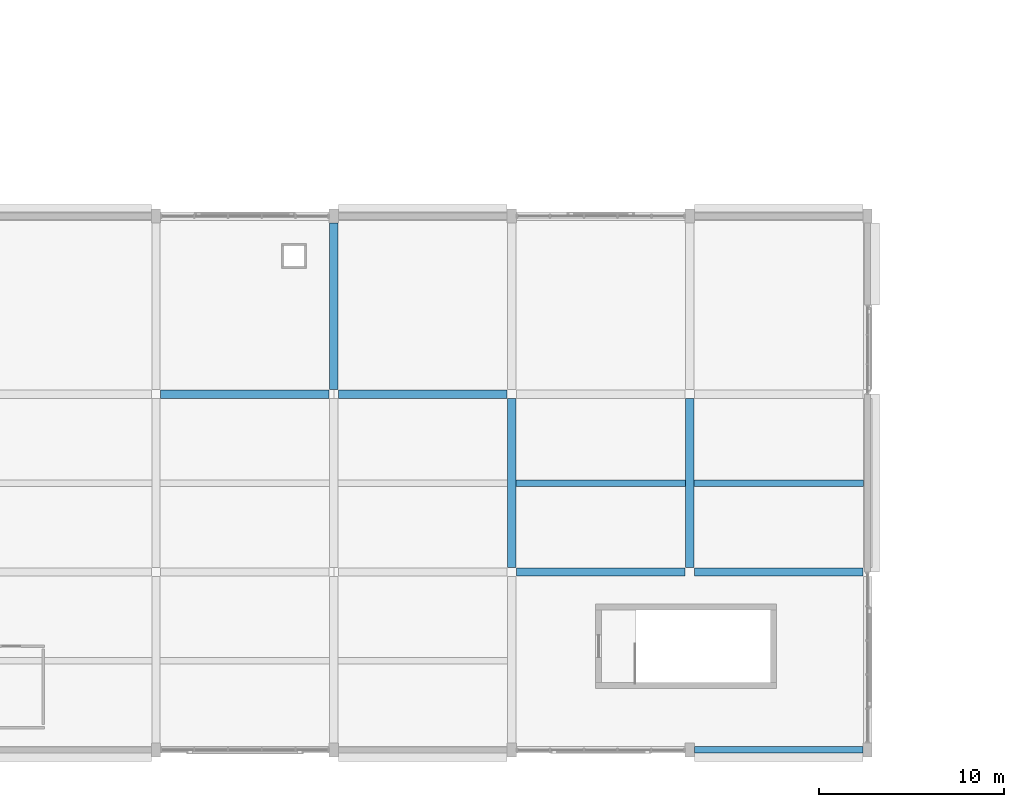
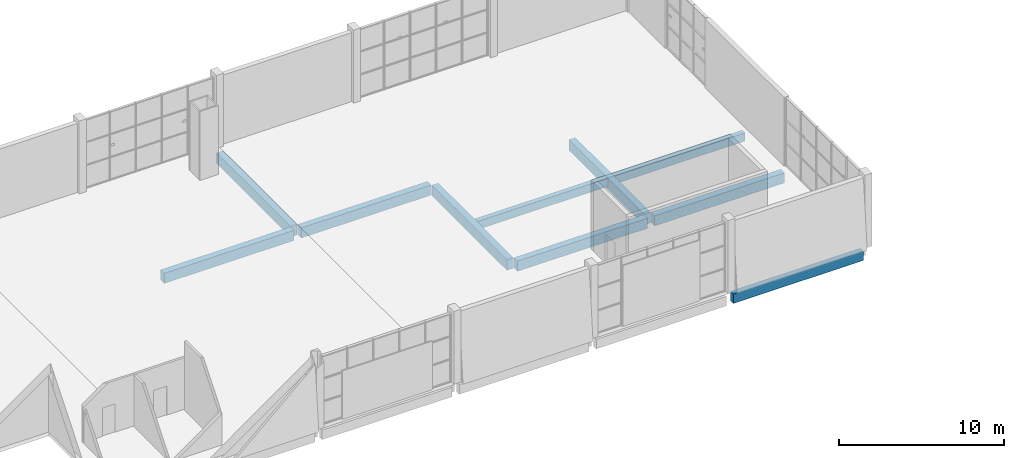
# One storey, part 7 of 72: 10 beams.
"""IFC4 building model written with IfcOpenShell, lengths in metres."""

from ifc_helpers import new_model, si_unit, direction, frame, origin, origin_2d, place, context, subcontext, project, spatial, rectangle, extrude, material, material_profile, profile_set, type_object, element, save


model = new_model("IFC4")

# Units and contexts
model_context = context("Model", 3, precision=1e-05, world=origin(), true_north=direction((0.0, 1.0)))
body_context = subcontext(model_context, "Body", "Model", "MODEL_VIEW")
ifc_project = project(units=[si_unit("LENGTHUNIT", "METRE"), si_unit("AREAUNIT", "SQUARE_METRE"), si_unit("VOLUMEUNIT", "CUBIC_METRE"), si_unit("PLANEANGLEUNIT", "RADIAN"), si_unit("MASSUNIT", "GRAM", prefix="KILO")], contexts=[model_context])

# Site, building, storey
site_placement = place(None, origin())
site = spatial("IfcSite", under=ifc_project, at=site_placement, CompositionType="ELEMENT")
building_placement = place(site_placement, origin())
building = spatial("IfcBuilding", under=site, at=building_placement, Name="Shalvenor Court Art Gallery", CompositionType="ELEMENT")
storey_placement = place(building_placement, frame((0.0, 0.0, 11.39990234375)))
storey = spatial("IfcBuildingStorey", under=building, at=storey_placement, Name="L02", CompositionType="ELEMENT", Elevation=11.39990234375)

# Beams
ifc_material_1 = material(Name="Concrete C40/50", Category="concrete")
ifc_material_profile_1 = material_profile(ifc_material_1, rectangle(XDim=0.449951171875, YDim=0.800048828125, at=origin_2d()), Name="RC 450x800")
ifc_profile_set_1 = profile_set([ifc_material_profile_1], Name="Concrete C40/50")
beam_type_1 = type_object("IfcBeamType", Name="B-03", PredefinedType="BEAM", material=ifc_profile_set_1)
beam_1_placement = place(storey_placement, frame((38.39990234375, 19.449951171875, -0.719970703125), z_axis=(0.0, 1.0, 0.0), x_axis=(-1.0, 0.0, 0.0)))
element("IfcBeam", 1, at=beam_1_placement, inside=storey, type_object=beam_type_1, Name="L02 Girder BM-L02-B-03-0717", PredefinedType="BEAM", context=body_context, shape_type="SweptSolid", body=[
    extrude(rectangle(XDim=0.449951171875, YDim=0.800048828125, at=origin_2d()), origin(), (0.0, 0.0, 1.0), 8.97509765625),
])
for number, where, z_axis, x_axis, name in (
    (2, (48.0, 9.85009765625, -0.719970703125), (0.0, 1.0, 0.0), (-1.0, 0.0, 0.0), "L02 Girder BM-L02-B-03-0724"),
    (3, (57.60009765625, 9.85009765625, -0.719970703125), (0.0, 1.0, 0.0), (-1.0, 0.0, 0.0), "L02 Girder BM-L02-B-03-0726"),
):
    element("IfcBeam", number, at=place(storey_placement, frame(where, z_axis=z_axis, x_axis=x_axis)), inside=storey, type_object=beam_type_1, Name=name, PredefinedType="BEAM", context=body_context, shape_type="SweptSolid", body=[
        extrude(rectangle(XDim=0.449951171875, YDim=0.800048828125, at=origin_2d()), origin(), (0.0, 0.0, 1.0), 9.099853515625),
    ])
ifc_material_2 = material(Name="Concrete C40/50", Category="concrete")
ifc_material_profile_2 = material_profile(ifc_material_2, rectangle(XDim=0.449951171875, YDim=0.75, at=origin_2d()), Name="RC 450x750")
ifc_profile_set_2 = profile_set([ifc_material_profile_2], Name="Concrete C40/50")
beam_type_2 = type_object("IfcBeamType", Name="B-04", PredefinedType="BEAM", material=ifc_profile_set_2)
beam_2_placement = place(storey_placement, frame((48.25, 9.60009765625, -0.69482421875), z_axis=(1.0, 0.0, 0.0), x_axis=(0.0, 1.0, 0.0)))
element("IfcBeam", 4, at=beam_2_placement, inside=storey, type_object=beam_type_2, Name="L02 Girder BM-L02-B-04-0812", PredefinedType="BEAM", context=body_context, shape_type="SweptSolid", body=[
    extrude(rectangle(XDim=0.449951171875, YDim=0.75, at=origin_2d()), origin(), (0.0, 0.0, 1.0), 9.10009765625),
])
for number, where, z_axis, x_axis, name in (
    (5, (57.85009765625, 9.60009765625, -0.69482421875), (1.0, 0.0, 0.0), (0.0, 1.0, 0.0), "L02 Girder BM-L02-B-04-0813"),
    (6, (29.050048828125, 19.199951171875, -0.69482421875), (1.0, 0.0, 0.0), (0.0, 1.0, 0.0), "L02 Girder BM-L02-B-04-0818"),
):
    element("IfcBeam", number, at=place(storey_placement, frame(where, z_axis=z_axis, x_axis=x_axis)), inside=storey, type_object=beam_type_2, Name=name, PredefinedType="BEAM", context=body_context, shape_type="SweptSolid", body=[
        extrude(rectangle(XDim=0.449951171875, YDim=0.75, at=origin_2d()), origin(), (0.0, 0.0, 1.0), 9.099853515625),
    ])
beam_3_placement = place(storey_placement, frame((38.64990234375, 19.199951171875, -0.69482421875), z_axis=(1.0, 0.0, 0.0), x_axis=(0.0, 1.0, 0.0)))
element("IfcBeam", 7, at=beam_3_placement, inside=storey, type_object=beam_type_2, Name="L02 Girder BM-L02-B-04-0819", PredefinedType="BEAM", context=body_context, shape_type="SweptSolid", body=[
    extrude(rectangle(XDim=0.449951171875, YDim=0.75, at=origin_2d()), origin(), (0.0, 0.0, 1.0), 9.10009765625),
])
ifc_material_3 = material(Name="Concrete C40/50", Category="concrete")
ifc_material_profile_3 = material_profile(ifc_material_3, rectangle(XDim=0.35009765625, YDim=0.60009765625, at=origin_2d()), Name="RC 350x600")
ifc_profile_set_3 = profile_set([ifc_material_profile_3], Name="Concrete C40/50")
beam_type_3 = type_object("IfcBeamType", Name="J-01", PredefinedType="JOIST", material=ifc_profile_set_3)
beam_4_placement = place(storey_placement, frame((48.22509765625, 14.39990234375, -0.619873046875), z_axis=(1.0, 0.0, 0.0), x_axis=(0.0, 1.0, 0.0)))
element("IfcBeam", 8, at=beam_4_placement, inside=storey, type_object=beam_type_3, Name="L02 Secondary Beam JST-L02-J-01-0925", PredefinedType="JOIST", context=body_context, shape_type="SweptSolid", body=[
    extrude(rectangle(XDim=0.35009765625, YDim=0.60009765625, at=origin_2d()), origin(), (0.0, 0.0, 1.0), 9.14990234375),
])
beam_5_placement = place(storey_placement, frame((57.824951171875, 14.39990234375, -0.619873046875), z_axis=(1.0, 0.0, 0.0), x_axis=(0.0, 1.0, 0.0)))
element("IfcBeam", 9, at=beam_5_placement, inside=storey, type_object=beam_type_3, Name="L02 Secondary Beam JST-L02-J-01-0926", PredefinedType="JOIST", context=body_context, shape_type="SweptSolid", body=[
    extrude(rectangle(XDim=0.35009765625, YDim=0.60009765625, at=origin_2d()), origin(), (0.0, 0.0, 1.0), 9.150146484375),
])
ifc_material_4 = material(Name="Concrete C40/50", Category="concrete")
ifc_material_profile_4 = material_profile(ifc_material_4, rectangle(XDim=0.35009765625, YDim=0.699951171875, at=origin_2d()), Name="RC 350x700")
ifc_profile_set_4 = profile_set([ifc_material_profile_4], Name="Concrete C40/50")
beam_type_4 = type_object("IfcBeamType", Name="SP-01", PredefinedType="SPANDREL", material=ifc_profile_set_4)
beam_6_placement = place(storey_placement, frame((57.85009765625, 0.0, -0.669921875), z_axis=(1.0, 0.0, 0.0), x_axis=(0.0, 1.0, 0.0)))
element("IfcBeam", 10, at=beam_6_placement, inside=storey, type_object=beam_type_4, Name="L02 Spandrel Girder BM-L02-SP-01-0803", PredefinedType="SPANDREL", context=body_context, shape_type="SweptSolid", body=[
    extrude(rectangle(XDim=0.35009765625, YDim=0.699951171875, at=origin_2d()), origin(), (0.0, 0.0, 1.0), 9.099853515625),
])

save(model, "model.ifc")
